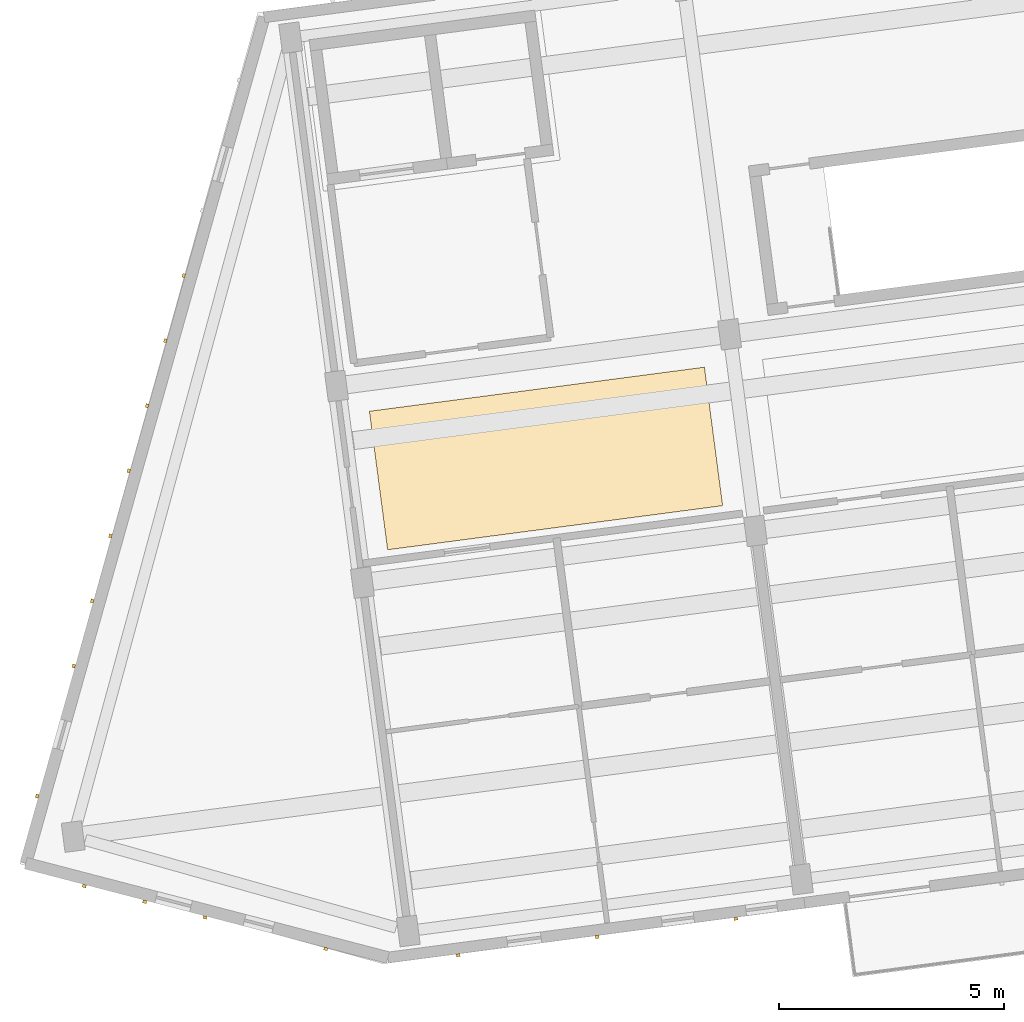
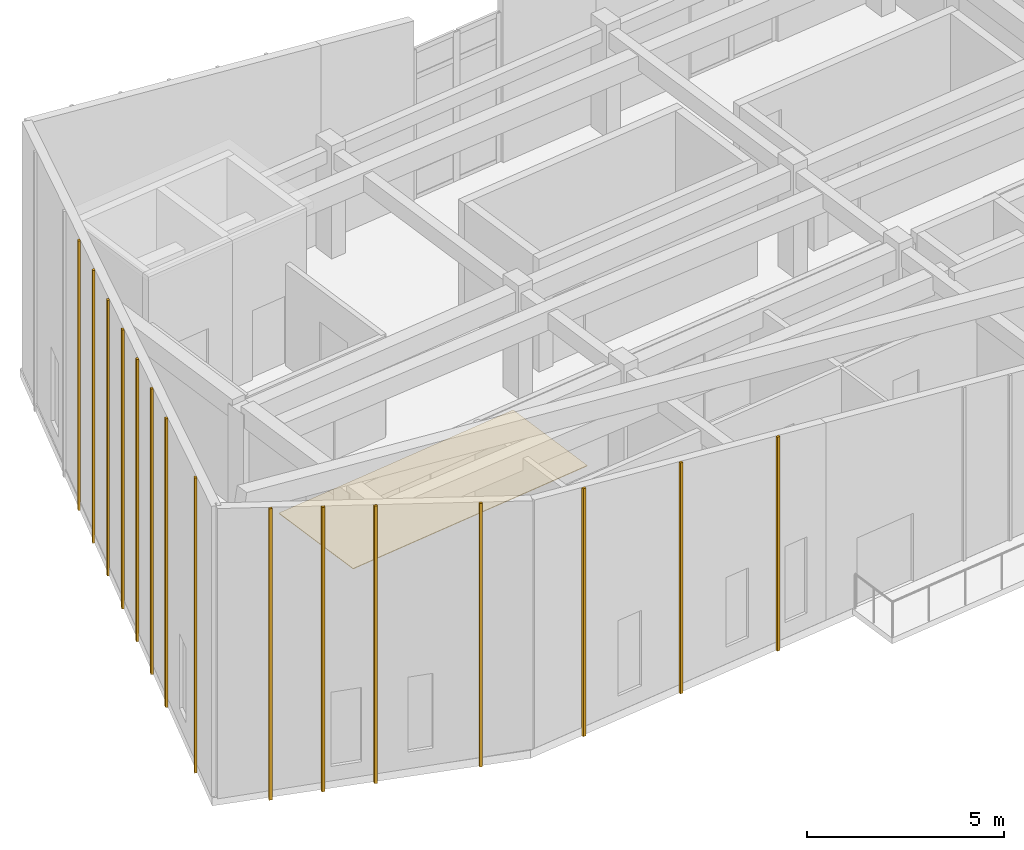
# One storey, part 7 of 10: 16 coverings.
"""IFC4 building model written with IfcOpenShell, lengths in metres."""

from ifc_helpers import new_model, si_unit, direction, frame, origin, origin_2d, place, context, subcontext, project, spatial, polyline, rectangle, outline, extrude, material, layer, layer_set, type_object, element, save


model = new_model("IFC4")

# Units and contexts
model_context = context("Model", 3, precision=1e-05, world=origin(), true_north=direction((0.0, 1.0)))
body_context = subcontext(model_context, "Body", "Model", "MODEL_VIEW")
ifc_project = project(units=[si_unit("LENGTHUNIT", "METRE"), si_unit("AREAUNIT", "SQUARE_METRE"), si_unit("VOLUMEUNIT", "CUBIC_METRE"), si_unit("PLANEANGLEUNIT", "RADIAN"), si_unit("MASSUNIT", "GRAM", prefix="KILO")], contexts=[model_context])

# Site, building, storey
site_placement = place(None, origin())
site = spatial("IfcSite", under=ifc_project, at=site_placement, CompositionType="ELEMENT")
building_placement = place(site_placement, origin())
building = spatial("IfcBuilding", under=site, at=building_placement, Name="Kestramere Prow Commons", CompositionType="ELEMENT")
storey_placement = place(building_placement, frame((0.0, 0.0, 44.14990234375)))
storey = spatial("IfcBuildingStorey", under=building, at=storey_placement, Name="L13", CompositionType="ELEMENT", Elevation=44.14990234375)

# Coverings
ifc_material_1 = material(Name="Weathered Zinc-Titanium Standing-Seam Cladding")
ifc_layer_1 = layer(ifc_material_1, 0.074951171875)
ifc_layer_set_1 = layer_set([ifc_layer_1], Name="Weathered Zinc-Titanium Standing-Seam Cladding")
covering_type_1 = type_object("IfcCoveringType", Name="COV-CLAD-SEAM", PredefinedType="CLADDING", material=ifc_layer_set_1)
covering_1_placement = place(storey_placement, frame((18.47216796875, 72.274169921875, -0.25), z_axis=(0.0, 0.0, 1.0), x_axis=(-0.991444861374, -0.13052619222, 0.0)))
element("IfcCovering", 1, at=covering_1_placement, inside=storey, type_object=covering_type_1, Name="EW-A-L13-S-0 Standing-Seam Rib 1", PredefinedType="CLADDING", context=body_context, shape_type="SweptSolid", body=[
    extrude(rectangle(XDim=0.0849609375, YDim=0.06494140625, at=origin_2d()), origin(), (0.0, 0.0, 1.0), 6.631591796875),
])
covering_2_placement = place(storey_placement, frame((15.390625, 71.868408203125, -0.25), z_axis=(0.0, 0.0, 1.0), x_axis=(-0.991444861374, -0.13052619222, 0.0)))
element("IfcCovering", 2, at=covering_2_placement, inside=storey, type_object=covering_type_1, Name="EW-A-L13-S-0 Standing-Seam Rib 3", PredefinedType="CLADDING", context=body_context, shape_type="SweptSolid", body=[
    extrude(rectangle(XDim=0.0849609375, YDim=0.06494140625, at=origin_2d()), origin(), (0.0, 0.0, 1.0), 7.15771484375),
])
covering_3_placement = place(storey_placement, frame((12.308837890625, 71.462646484375, -0.25), z_axis=(0.0, 0.0, 1.0), x_axis=(-0.991444861374, -0.13052619222, 0.0)))
element("IfcCovering", 3, at=covering_3_placement, inside=storey, type_object=covering_type_1, Name="EW-A-L13-S-0 Standing-Seam Rib 5", PredefinedType="CLADDING", context=body_context, shape_type="SweptSolid", body=[
    extrude(rectangle(XDim=0.0849609375, YDim=0.06494140625, at=origin_2d()), origin(), (0.0, 0.0, 1.0), 7.683837890625),
])
covering_4_placement = place(storey_placement, frame((9.367431640625, 71.602783203125, -0.25), z_axis=(0.0, 0.0, 1.0), x_axis=(-0.96769817096, 0.252111582281, 0.0)))
element("IfcCovering", 4, at=covering_4_placement, inside=storey, type_object=covering_type_1, Name="EW-A-L13-PRW-S Standing-Seam Rib 1", PredefinedType="CLADDING", context=body_context, shape_type="SweptSolid", body=[
    extrude(rectangle(XDim=0.0849609375, YDim=0.06494140625, at=origin_2d()), origin(), (0.0, 0.0, 1.0), 8.163818359375),
])
covering_5_placement = place(storey_placement, frame((6.6884765625, 72.300537109375, -0.25), z_axis=(0.0, 0.0, 1.0), x_axis=(-0.96769817096, 0.252111582281, 0.0)))
element("IfcCovering", 5, at=covering_5_placement, inside=storey, type_object=covering_type_1, Name="EW-A-L13-PRW-S Standing-Seam Rib 3", PredefinedType="CLADDING", context=body_context, shape_type="SweptSolid", body=[
    extrude(rectangle(XDim=0.0849609375, YDim=0.06494140625, at=origin_2d()), origin(), (0.0, 0.0, 1.0), 8.597900390625),
])
covering_6_placement = place(storey_placement, frame((5.34912109375, 72.649658203125, -0.249755859375), z_axis=(0.0, 0.0, 1.0), x_axis=(-0.96769817096, 0.252111582281, 0.0)))
element("IfcCovering", 6, at=covering_6_placement, inside=storey, type_object=covering_type_1, Name="EW-A-L13-PRW-S Standing-Seam Rib 4", PredefinedType="CLADDING", context=body_context, shape_type="SweptSolid", body=[
    extrude(rectangle(XDim=0.0849609375, YDim=0.06494140625, at=origin_2d()), origin(), (0.0, 0.0, 1.0), 8.81494140625),
])
covering_7_placement = place(storey_placement, frame((4.009521484375, 72.99853515625, -0.25), z_axis=(0.0, 0.0, 1.0), x_axis=(-0.96769817096, 0.252111582281, 0.0)))
element("IfcCovering", 7, at=covering_7_placement, inside=storey, type_object=covering_type_1, Name="EW-A-L13-PRW-S Standing-Seam Rib 5", PredefinedType="CLADDING", context=body_context, shape_type="SweptSolid", body=[
    extrude(rectangle(XDim=0.0849609375, YDim=0.06494140625, at=origin_2d()), origin(), (0.0, 0.0, 1.0), 9.031982421875),
])
covering_8_placement = place(storey_placement, frame((2.96142578125, 74.9931640625, -0.25), z_axis=(0.0, 0.0, 1.0), x_axis=(0.271159911526, 0.962534312314, 0.0)))
element("IfcCovering", 8, at=covering_8_placement, inside=storey, type_object=covering_type_1, Name="EW-A-L13-PRW-N Standing-Seam Rib 1", PredefinedType="CLADDING", context=body_context, shape_type="SweptSolid", body=[
    extrude(rectangle(XDim=0.0849609375, YDim=0.06494140625, at=origin_2d()), origin(), (0.0, 0.0, 1.0), 9.14892578125),
])
covering_9_placement = place(storey_placement, frame((3.775146484375, 77.8818359375, -0.25), z_axis=(0.0, 0.0, 1.0), x_axis=(0.271159911526, 0.962534312314, 0.0)))
element("IfcCovering", 9, at=covering_9_placement, inside=storey, type_object=covering_type_1, Name="EW-A-L13-PRW-N Standing-Seam Rib 3", PredefinedType="CLADDING", context=body_context, shape_type="SweptSolid", body=[
    extrude(rectangle(XDim=0.0849609375, YDim=0.06494140625, at=origin_2d()), origin(), (0.0, 0.0, 1.0), 8.948486328125),
])
covering_10_placement = place(storey_placement, frame((4.18212890625, 79.326171875, -0.25), z_axis=(0.0, 0.0, 1.0), x_axis=(0.271159911526, 0.962534312314, 0.0)))
element("IfcCovering", 10, at=covering_10_placement, inside=storey, type_object=covering_type_1, Name="EW-A-L13-PRW-N Standing-Seam Rib 4", PredefinedType="CLADDING", context=body_context, shape_type="SweptSolid", body=[
    extrude(rectangle(XDim=0.0849609375, YDim=0.06494140625, at=origin_2d()), origin(), (0.0, 0.0, 1.0), 8.848388671875),
])
covering_11_placement = place(storey_placement, frame((4.5888671875, 80.7705078125, -0.25), z_axis=(0.0, 0.0, 1.0), x_axis=(0.271159911526, 0.962534312314, 0.0)))
element("IfcCovering", 11, at=covering_11_placement, inside=storey, type_object=covering_type_1, Name="EW-A-L13-PRW-N Standing-Seam Rib 5", PredefinedType="CLADDING", context=body_context, shape_type="SweptSolid", body=[
    extrude(rectangle(XDim=0.0849609375, YDim=0.06494140625, at=origin_2d()), origin(), (0.0, 0.0, 1.0), 8.748291015625),
])
covering_12_placement = place(storey_placement, frame((4.995849609375, 82.21484375, -0.249755859375), z_axis=(0.0, 0.0, 1.0), x_axis=(0.271159911526, 0.962534312314, 0.0)))
element("IfcCovering", 12, at=covering_12_placement, inside=storey, type_object=covering_type_1, Name="EW-A-L13-PRW-N Standing-Seam Rib 6", PredefinedType="CLADDING", context=body_context, shape_type="SweptSolid", body=[
    extrude(rectangle(XDim=0.0849609375, YDim=0.06494140625, at=origin_2d()), origin(), (0.0, 0.0, 1.0), 8.64794921875),
])
covering_13_placement = place(storey_placement, frame((5.40283203125, 83.6591796875, -0.25), z_axis=(0.0, 0.0, 1.0), x_axis=(0.271159911526, 0.962534312314, 0.0)))
element("IfcCovering", 13, at=covering_13_placement, inside=storey, type_object=covering_type_1, Name="EW-A-L13-PRW-N Standing-Seam Rib 7", PredefinedType="CLADDING", context=body_context, shape_type="SweptSolid", body=[
    extrude(rectangle(XDim=0.0849609375, YDim=0.06494140625, at=origin_2d()), origin(), (0.0, 0.0, 1.0), 8.5478515625),
])
covering_14_placement = place(storey_placement, frame((5.8095703125, 85.103271484375, -0.25), z_axis=(0.0, 0.0, 1.0), x_axis=(0.271159911526, 0.962534312314, 0.0)))
element("IfcCovering", 14, at=covering_14_placement, inside=storey, type_object=covering_type_1, Name="EW-A-L13-PRW-N Standing-Seam Rib 8", PredefinedType="CLADDING", context=body_context, shape_type="SweptSolid", body=[
    extrude(rectangle(XDim=0.0849609375, YDim=0.06494140625, at=origin_2d()), origin(), (0.0, 0.0, 1.0), 8.44775390625),
])
covering_15_placement = place(storey_placement, frame((6.216552734375, 86.547607421875, -0.25), z_axis=(0.0, 0.0, 1.0), x_axis=(0.271159911526, 0.962534312314, 0.0)))
element("IfcCovering", 15, at=covering_15_placement, inside=storey, type_object=covering_type_1, Name="EW-A-L13-PRW-N Standing-Seam Rib 9", PredefinedType="CLADDING", context=body_context, shape_type="SweptSolid", body=[
    extrude(rectangle(XDim=0.0849609375, YDim=0.06494140625, at=origin_2d()), origin(), (0.0, 0.0, 1.0), 8.347412109375),
])
ifc_material_2 = material(Name="Honed Cementitious Terrazzo Tile")
ifc_layer_2 = layer(ifc_material_2, 0.02001953125)
ifc_layer_set_2 = layer_set([ifc_layer_2], Name="Honed Cementitious Terrazzo Tile")
covering_type_2 = type_object("IfcCoveringType", Name="COV-FLOOR-TERRAZZO", PredefinedType="FLOORING", material=ifc_layer_set_2)
covering_16_placement = place(storey_placement, origin())
element("IfcCovering", 16, at=covering_16_placement, inside=storey, type_object=covering_type_2, Name="Block A L13 Corridor Terrazzo Flooring 1", PredefinedType="FLOORING", context=body_context, shape_type="SweptSolid", body=[
    extrude(outline(polyline([(10.741455078125, 80.462646484375), (18.17724609375, 81.44140625), (17.772705078125, 84.514892578125), (10.3369140625, 83.5361328125), (10.741455078125, 80.462646484375)])), origin(), (0.0, 0.0, 1.0), 0.02001953125),
])

save(model, "model.ifc")
